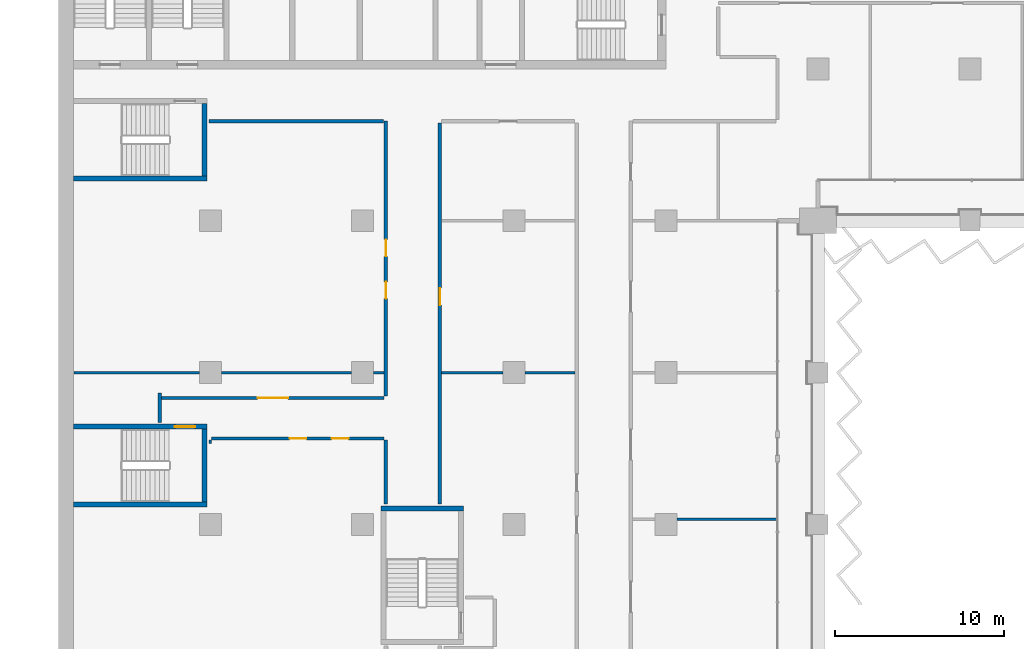
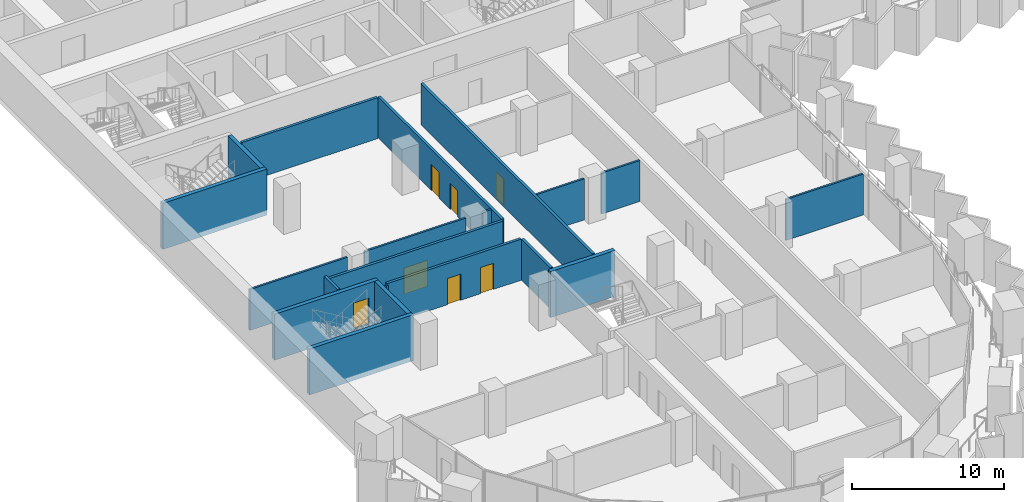
# One storey, part 10 of 22: 20 walls, 7 doors, 7 openings.
"""IFC4 building model written with IfcOpenShell, lengths in metres."""

from ifc_helpers import new_model, si_unit, direction, frame, frame_2d, origin, place, context, subcontext, project, spatial, rectangle, extrude, material, layer, layer_set, type_object, element, fill, save


model = new_model("IFC4")

# Units and contexts
model_context = context("Model", 3, precision=1e-05, world=origin(), true_north=direction((0.0, 1.0)))
body_context = subcontext(model_context, "Body", "Model", "MODEL_VIEW")
ifc_project = project(units=[si_unit("LENGTHUNIT", "METRE"), si_unit("AREAUNIT", "SQUARE_METRE"), si_unit("VOLUMEUNIT", "CUBIC_METRE"), si_unit("PLANEANGLEUNIT", "RADIAN"), si_unit("MASSUNIT", "GRAM", prefix="KILO")], contexts=[model_context])

# Site, building, storey
site_placement = place(None, origin())
site = spatial("IfcSite", under=ifc_project, at=site_placement, CompositionType="ELEMENT")
building_placement = place(site_placement, origin())
building = spatial("IfcBuilding", under=site, at=building_placement, Name="Hunhe Ridgeline Campus", CompositionType="ELEMENT")
storey_placement = place(building_placement, frame((0.0, 0.0, 92.199951171875)))
storey = spatial("IfcBuildingStorey", under=building, at=storey_placement, Name="L22", CompositionType="ELEMENT", Elevation=92.199951171875)

# Wall, openings, doors
ifc_material_1 = material(Name="Gypsum board partition")
ifc_layer_1 = layer(ifc_material_1, 0.199951171875)
ifc_layer_set_1 = layer_set([ifc_layer_1], Name="Corridor partition 200 gypsum board on steel studs")
wall_type_1 = type_object("IfcWallType", Name="Corridor partition 200 gypsum board on steel studs", PredefinedType="PARTITIONING", material=ifc_layer_set_1)
wall_1_placement = place(storey_placement, frame((19.300048828125, 41.10009765625, 0.0), z_axis=(0.0, 0.0, 1.0), x_axis=(-1.0, 0.0, 0.0)))
wall_1 = element("IfcWall", 1, at=wall_1_placement, inside=storey, type_object=wall_type_1, Name="F-L22-wall-021", PredefinedType="PARTITIONING", context=body_context, shape_type="SweptSolid", body=[
    extrude(rectangle(XDim=10.22509765625, YDim=0.199951171875, at=frame_2d((5.112548828125, 0.0))), origin(), (0.0, 0.0, 1.0), 3.300048828125),
])
opening_1_placement = place(wall_1_placement, frame((4.612548828125, 0.0, 0.0)))
opening_1 = element("IfcOpeningElement", 2, at=opening_1_placement, cuts=wall_1, Name="Opening RD1-013", PredefinedType="OPENING", context=body_context, shape_type="SweptSolid", body=[
    extrude(rectangle(XDim=1.0, YDim=2.10009765625, at=frame_2d((0.5, 1.050048828125))), frame((0.0, 0.10009765625, 0.0), z_axis=(0.0, -1.0, 0.0), x_axis=(1.0, 0.0, 0.0)), (0.0, 0.0, 1.0), 0.199951171875),
])
opening_2_placement = place(wall_1_placement, frame((2.112548828125, 0.0, 0.0)))
opening_2 = element("IfcOpeningElement", 3, at=opening_2_placement, cuts=wall_1, Name="Opening RD1-014", PredefinedType="OPENING", context=body_context, shape_type="SweptSolid", body=[
    extrude(rectangle(XDim=1.0, YDim=2.10009765625, at=frame_2d((0.5, 1.050048828125))), frame((0.0, 0.10009765625, 0.0), z_axis=(0.0, -1.0, 0.0), x_axis=(1.0, 0.0, 0.0)), (0.0, 0.0, 1.0), 0.199951171875),
])
ifc_material_2 = material(Name="Timber door leaf", Category="wood")
door_type_1 = type_object("IfcDoorType", Name="Single fire door 1000x2100 timber FD60", OperationType="NOTDEFINED", PredefinedType="DOOR", material=ifc_material_2)
door_1_placement = place(opening_1_placement, frame((1.0, 0.0, 0.0), z_axis=(0.0, 0.0, 1.0), x_axis=(-1.0, 0.0, 0.0)))
door_1 = element("IfcDoor", 4, at=door_1_placement, inside=storey, type_object=door_type_1, Name="F-L22-door-013", OperationType="SINGLE_SWING_RIGHT", OverallHeight=2.10009765625, OverallWidth=1.0, PredefinedType="DOOR", context=body_context, shape_type="SweptSolid", body=[
    extrude(rectangle(XDim=1.0, YDim=2.10009765625, at=frame_2d((0.5, 1.050048828125))), frame((0.0, 0.02490234375, 0.0), z_axis=(0.0, -1.0, 0.0), x_axis=(1.0, 0.0, 0.0)), (0.0, 0.0, 1.0), 0.050048828125),
])
fill(opening_1, door_1)
door_2_placement = place(opening_2_placement, frame((1.0, 0.0, 0.0), z_axis=(0.0, 0.0, 1.0), x_axis=(-1.0, 0.0, 0.0)))
door_2 = element("IfcDoor", 5, at=door_2_placement, inside=storey, type_object=door_type_1, Name="F-L22-door-014", OperationType="SINGLE_SWING_RIGHT", OverallHeight=2.10009765625, OverallWidth=1.0, PredefinedType="DOOR", context=body_context, shape_type="SweptSolid", body=[
    extrude(rectangle(XDim=1.0, YDim=2.10009765625, at=frame_2d((0.5, 1.050048828125))), frame((0.0, 0.02490234375, 0.0), z_axis=(0.0, -1.0, 0.0), x_axis=(1.0, 0.0, 0.0)), (0.0, 0.0, 1.0), 0.050048828125),
])
fill(opening_2, door_2)

# Wall, opening, door
wall_2_placement = place(storey_placement, frame((6.10009765625, 43.5, 0.0), z_axis=(0.0, 0.0, 1.0), x_axis=(1.0, 0.0, 0.0)))
wall_2 = element("IfcWall", 6, at=wall_2_placement, inside=storey, type_object=wall_type_1, Name="F-L22-wall-022", PredefinedType="PARTITIONING", context=body_context, shape_type="SweptSolid", body=[
    extrude(rectangle(XDim=13.199951171875, YDim=0.199951171875, at=frame_2d((6.60009765625, 0.0))), origin(), (0.0, 0.0, 1.0), 3.300048828125),
])
opening_3_placement = place(wall_2_placement, frame((5.699951171875, 0.0, 0.0)))
opening_3 = element("IfcOpeningElement", 7, at=opening_3_placement, cuts=wall_2, Name="Opening RD2-015", PredefinedType="OPENING", context=body_context, shape_type="SweptSolid", body=[
    extrude(rectangle(XDim=1.800048828125, YDim=2.10009765625, at=frame_2d((0.89990234375, 1.050048828125))), frame((0.0, 0.10009765625, 0.0), z_axis=(0.0, -1.0, 0.0), x_axis=(1.0, 0.0, 0.0)), (0.0, 0.0, 1.0), 0.199951171875),
])
door_type_2 = type_object("IfcDoorType", Name="Double fire door 1800x2100 timber FD60", OperationType="DOUBLE_DOOR_SINGLE_SWING", PredefinedType="DOOR", material=ifc_material_2)
door_3_placement = place(opening_3_placement, origin())
door_3 = element("IfcDoor", 8, at=door_3_placement, inside=storey, type_object=door_type_2, Name="F-L22-door-015", OperationType="DOUBLE_DOOR_SINGLE_SWING", OverallHeight=2.10009765625, OverallWidth=1.800048828125, PredefinedType="DOOR", context=body_context, shape_type="SweptSolid", body=[
    extrude(rectangle(XDim=1.800048828125, YDim=2.10009765625, at=frame_2d((0.89990234375, 1.050048828125))), frame((0.0, 0.02490234375, 0.0), z_axis=(0.0, -1.0, 0.0), x_axis=(1.0, 0.0, 0.0)), (0.0, 0.0, 1.0), 0.050048828125),
])
fill(opening_3, door_3)

# Walls
wall_3_placement = place(storey_placement, frame((19.249755859375, 59.89990234375, 0.0), z_axis=(0.0, 0.0, 1.0), x_axis=(-1.0, 0.0, 0.0)))
element("IfcWall", 9, at=wall_3_placement, inside=storey, type_object=wall_type_1, Name="F-L22-wall-035", PredefinedType="PARTITIONING", context=body_context, shape_type="SweptSolid", body=[
    extrude(rectangle(XDim=10.345703125, YDim=0.199951171875, at=frame_2d((5.1728515625, 0.0))), origin(), (0.0, 0.0, 1.0), 3.300048828125),
])
wall_4_placement = place(storey_placement, frame((6.0, 42.053955078125, 0.0), z_axis=(0.0, 0.0, 1.0), x_axis=(0.0, 1.0, 0.0)))
element("IfcWall", 10, at=wall_4_placement, inside=storey, type_object=wall_type_1, Name="F-L22-wall-044", PredefinedType="PARTITIONING", context=body_context, shape_type="SweptSolid", body=[
    extrude(rectangle(XDim=1.74609375, YDim=0.199951171875, at=frame_2d((0.873046875, 0.0))), origin(), (0.0, 0.0, 1.0), 3.300048828125),
])
wall_5_placement = place(storey_placement, frame((19.39990234375, 37.2041015625, 0.0), z_axis=(0.0, 0.0, 1.0), x_axis=(0.0, 1.0, 0.0)))
element("IfcWall", 11, at=wall_5_placement, inside=storey, type_object=wall_type_1, Name="F-L22-wall-047", PredefinedType="PARTITIONING", context=body_context, shape_type="SweptSolid", body=[
    extrude(rectangle(XDim=3.7958984375, YDim=0.199951171875, at=frame_2d((1.89794921875, 0.0))), origin(), (0.0, 0.0, 1.0), 3.300048828125),
])

# Wall, openings, doors
wall_6_placement = place(storey_placement, frame((19.39990234375, 43.6181640625, 0.0), z_axis=(0.0, 0.0, 1.0), x_axis=(0.0, 1.0, 0.0)))
wall_6 = element("IfcWall", 12, at=wall_6_placement, inside=storey, type_object=wall_type_1, Name="F-L22-wall-048", PredefinedType="PARTITIONING", context=body_context, shape_type="SweptSolid", body=[
    extrude(rectangle(XDim=16.28173828125, YDim=0.199951171875, at=frame_2d((8.140869140625, 0.0))), origin(), (0.0, 0.0, 1.0), 3.300048828125),
])
opening_4_placement = place(wall_6_placement, frame((5.76708984375, 0.0, 0.0)))
opening_4 = element("IfcOpeningElement", 13, at=opening_4_placement, cuts=wall_6, Name="Opening RD1-018", PredefinedType="OPENING", context=body_context, shape_type="SweptSolid", body=[
    extrude(rectangle(XDim=1.0, YDim=2.10009765625, at=frame_2d((0.5, 1.050048828125))), frame((0.0, 0.10009765625, 0.0), z_axis=(0.0, -1.0, 0.0), x_axis=(1.0, 0.0, 0.0)), (0.0, 0.0, 1.0), 0.199951171875),
])
opening_5_placement = place(wall_6_placement, frame((8.26708984375, 0.0, 0.0)))
opening_5 = element("IfcOpeningElement", 14, at=opening_5_placement, cuts=wall_6, Name="Opening RD1-019", PredefinedType="OPENING", context=body_context, shape_type="SweptSolid", body=[
    extrude(rectangle(XDim=1.0, YDim=2.10009765625, at=frame_2d((0.5, 1.050048828125))), frame((0.0, 0.10009765625, 0.0), z_axis=(0.0, -1.0, 0.0), x_axis=(1.0, 0.0, 0.0)), (0.0, 0.0, 1.0), 0.199951171875),
])
door_4_placement = place(opening_4_placement, frame((1.0, 0.0, 0.0), z_axis=(0.0, 0.0, 1.0), x_axis=(-1.0, 0.0, 0.0)))
door_4 = element("IfcDoor", 15, at=door_4_placement, inside=storey, type_object=door_type_1, Name="F-L22-door-018", OperationType="SINGLE_SWING_RIGHT", OverallHeight=2.10009765625, OverallWidth=1.0, PredefinedType="DOOR", context=body_context, shape_type="SweptSolid", body=[
    extrude(rectangle(XDim=1.0, YDim=2.10009765625, at=frame_2d((0.5, 1.050048828125))), frame((0.0, 0.02490234375, 0.0), z_axis=(0.0, -1.0, 0.0), x_axis=(1.0, 0.0, 0.0)), (0.0, 0.0, 1.0), 0.050048828125),
])
fill(opening_4, door_4)
door_5_placement = place(opening_5_placement, frame((1.0, 0.0, 0.0), z_axis=(0.0, 0.0, 1.0), x_axis=(-1.0, 0.0, 0.0)))
door_5 = element("IfcDoor", 16, at=door_5_placement, inside=storey, type_object=door_type_1, Name="F-L22-door-019", OperationType="SINGLE_SWING_LEFT", OverallHeight=2.10009765625, OverallWidth=1.0, PredefinedType="DOOR", context=body_context, shape_type="SweptSolid", body=[
    extrude(rectangle(XDim=1.0, YDim=2.10009765625, at=frame_2d((0.5, 1.050048828125))), frame((0.0, 0.02490234375, 0.0), z_axis=(0.0, -1.0, 0.0), x_axis=(1.0, 0.0, 0.0)), (0.0, 0.0, 1.0), 0.050048828125),
])
fill(opening_5, door_5)

# Wall, opening, door
wall_7_placement = place(storey_placement, frame((22.60009765625, 59.800048828125, 0.0), z_axis=(0.0, 0.0, 1.0), x_axis=(0.0, -1.0, 0.0)))
wall_7 = element("IfcWall", 17, at=wall_7_placement, inside=storey, type_object=wall_type_1, Name="F-L22-wall-051", PredefinedType="PARTITIONING", context=body_context, shape_type="SweptSolid", body=[
    extrude(rectangle(XDim=22.595947265625, YDim=0.199951171875, at=frame_2d((11.2978515625, 0.0))), origin(), (0.0, 0.0, 1.0), 3.300048828125),
])
opening_6_placement = place(wall_7_placement, frame((9.793701171875, 0.0, 0.0)))
opening_6 = element("IfcOpeningElement", 18, at=opening_6_placement, cuts=wall_7, Name="Opening RD1-016", PredefinedType="OPENING", context=body_context, shape_type="SweptSolid", body=[
    extrude(rectangle(XDim=1.0, YDim=2.10009765625, at=frame_2d((0.5, 1.050048828125))), frame((0.0, 0.10009765625, 0.0), z_axis=(0.0, -1.0, 0.0), x_axis=(1.0, 0.0, 0.0)), (0.0, 0.0, 1.0), 0.199951171875),
])
door_6_placement = place(opening_6_placement, origin())
door_6 = element("IfcDoor", 19, at=door_6_placement, inside=storey, type_object=door_type_1, Name="F-L22-door-016", OperationType="SINGLE_SWING_LEFT", OverallHeight=2.10009765625, OverallWidth=1.0, PredefinedType="DOOR", context=body_context, shape_type="SweptSolid", body=[
    extrude(rectangle(XDim=1.0, YDim=2.10009765625, at=frame_2d((0.5, 1.050048828125))), frame((0.0, 0.02490234375, 0.0), z_axis=(0.0, -1.0, 0.0), x_axis=(1.0, 0.0, 0.0)), (0.0, 0.0, 1.0), 0.050048828125),
])
fill(opening_6, door_6)

# Walls
ifc_layer_2 = layer(ifc_material_1, 0.14990234375)
ifc_layer_set_2 = layer_set([ifc_layer_2], Name="Room partition 150 gypsum board on steel studs")
wall_type_2 = type_object("IfcWallType", Name="Room partition 150 gypsum board on steel studs", PredefinedType="PARTITIONING", material=ifc_layer_set_2)
wall_8_placement = place(storey_placement, frame((36.64990234375, 36.300048828125, 0.0), z_axis=(0.0, 0.0, 1.0), x_axis=(1.0, 0.0, 0.0)))
element("IfcWall", 20, at=wall_8_placement, inside=storey, type_object=wall_type_2, Name="F-L22-wall-020", PredefinedType="PARTITIONING", context=body_context, shape_type="SweptSolid", body=[
    extrude(rectangle(XDim=5.895263671875, YDim=0.14990234375, at=frame_2d((2.94775390625, 0.0))), origin(), (0.0, 0.0, 1.0), 3.300048828125),
])
wall_9_placement = place(storey_placement, frame((0.919921875, 45.0, 0.0), z_axis=(0.0, 0.0, 1.0), x_axis=(1.0, 0.0, 0.0)))
element("IfcWall", 21, at=wall_9_placement, inside=storey, type_object=wall_type_2, Name="F-L22-wall-023", PredefinedType="PARTITIONING", context=body_context, shape_type="SweptSolid", body=[
    extrude(rectangle(XDim=7.43017578125, YDim=0.14990234375, at=frame_2d((3.715087890625, 0.0))), origin(), (0.0, 0.0, 1.0), 3.300048828125),
])
wall_10_placement = place(storey_placement, frame((9.64990234375, 45.0, 0.0), z_axis=(0.0, 0.0, 1.0), x_axis=(1.0, 0.0, 0.0)))
element("IfcWall", 22, at=wall_10_placement, inside=storey, type_object=wall_type_2, Name="F-L22-wall-024", PredefinedType="PARTITIONING", context=body_context, shape_type="SweptSolid", body=[
    extrude(rectangle(XDim=7.7001953125, YDim=0.14990234375, at=frame_2d((3.85009765625, 0.0))), origin(), (0.0, 0.0, 1.0), 3.300048828125),
])
wall_11_placement = place(storey_placement, frame((18.64990234375, 45.0, 0.0), z_axis=(0.0, 0.0, 1.0), x_axis=(1.0, 0.0, 0.0)))
element("IfcWall", 23, at=wall_11_placement, inside=storey, type_object=wall_type_2, Name="F-L22-wall-025", PredefinedType="PARTITIONING", context=body_context, shape_type="SweptSolid", body=[
    extrude(rectangle(XDim=0.650146484375, YDim=0.14990234375, at=frame_2d((0.3251953125, 0.0))), origin(), (0.0, 0.0, 1.0), 3.300048828125),
])
wall_12_placement = place(storey_placement, frame((22.699951171875, 45.0, 0.0), z_axis=(0.0, 0.0, 1.0), x_axis=(1.0, 0.0, 0.0)))
element("IfcWall", 24, at=wall_12_placement, inside=storey, type_object=wall_type_2, Name="F-L22-wall-026", PredefinedType="PARTITIONING", context=body_context, shape_type="SweptSolid", body=[
    extrude(rectangle(XDim=3.650146484375, YDim=0.14990234375, at=frame_2d((1.8251953125, 0.0))), origin(), (0.0, 0.0, 1.0), 3.300048828125),
])
wall_13_placement = place(storey_placement, frame((27.64990234375, 45.0, 0.0), z_axis=(0.0, 0.0, 1.0), x_axis=(1.0, 0.0, 0.0)))
element("IfcWall", 25, at=wall_13_placement, inside=storey, type_object=wall_type_2, Name="F-L22-wall-027", PredefinedType="PARTITIONING", context=body_context, shape_type="SweptSolid", body=[
    extrude(rectangle(XDim=2.9501953125, YDim=0.14990234375, at=frame_2d((1.47509765625, 0.0))), origin(), (0.0, 0.0, 1.0), 3.300048828125),
])
wall_14_placement = place(storey_placement, frame((9.0, 41.0, 0.0), z_axis=(0.0, 0.0, 1.0), x_axis=(0.0, -1.0, 0.0)))
element("IfcWall", 26, at=wall_14_placement, inside=storey, type_object=wall_type_2, Name="F-L22-wall-045", PredefinedType="PARTITIONING", context=body_context, shape_type="SweptSolid", body=[
    extrude(rectangle(XDim=0.199951171875, YDim=0.14990234375, at=frame_2d((0.10009765625, 0.0))), origin(), (0.0, 0.0, 1.0), 3.300048828125),
])
ifc_material_3 = material(Name="Concrete C80", Category="concrete")
ifc_layer_3 = layer(ifc_material_3, 0.300048828125)
ifc_layer_set_3 = layer_set([ifc_layer_3], Name="Stair wall 300 reinforced concrete C80")
wall_type_3 = type_object("IfcWallType", Name="Stair wall 300 reinforced concrete C80", PredefinedType="SOLIDWALL", material=ifc_layer_set_3)
wall_15_placement = place(storey_placement, frame((19.10009765625, 36.949951171875, -0.39990234375), z_axis=(0.0, 0.0, 1.0), x_axis=(1.0, 0.0, 0.0)))
element("IfcWall", 27, at=wall_15_placement, inside=storey, type_object=wall_type_3, Name="L22 core wall 2", PredefinedType="SOLIDWALL", context=body_context, shape_type="SweptSolid", body=[
    extrude(rectangle(XDim=4.89990234375, YDim=0.300048828125, at=frame_2d((2.449951171875, 0.0))), origin(), (0.0, 0.0, 1.0), 3.699951171875),
])
wall_16_placement = place(storey_placement, frame((0.89990234375, 37.199951171875, -0.39990234375), z_axis=(0.0, 0.0, 1.0), x_axis=(1.0, 0.0, 0.0)))
element("IfcWall", 28, at=wall_16_placement, inside=storey, type_object=wall_type_3, Name="L22 core wall 3", PredefinedType="SOLIDWALL", context=body_context, shape_type="SweptSolid", body=[
    extrude(rectangle(XDim=7.900146484375, YDim=0.300048828125, at=frame_2d((3.9501953125, 0.0))), origin(), (0.0, 0.0, 1.0), 3.699951171875),
])

# Wall, opening, door
wall_17_placement = place(storey_placement, frame((0.89990234375, 41.800048828125, -0.39990234375), z_axis=(0.0, 0.0, 1.0), x_axis=(1.0, 0.0, 0.0)))
wall_17 = element("IfcWall", 29, at=wall_17_placement, inside=storey, type_object=wall_type_3, Name="L22 core wall 4", PredefinedType="SOLIDWALL", context=body_context, shape_type="SweptSolid", body=[
    extrude(rectangle(XDim=7.900146484375, YDim=0.300048828125, at=frame_2d((3.9501953125, 0.0))), origin(), (0.0, 0.0, 1.0), 3.699951171875),
])
opening_7_placement = place(wall_17_placement, frame((6.0, 0.0, 0.39990234375)))
opening_7 = element("IfcOpeningElement", 30, at=opening_7_placement, cuts=wall_17, Name="Opening CD21", PredefinedType="OPENING", context=body_context, shape_type="SweptSolid", body=[
    extrude(rectangle(XDim=1.199951171875, YDim=2.10009765625, at=frame_2d((0.60009765625, 1.050048828125))), frame((0.0, 0.14990234375, 0.0), z_axis=(0.0, -1.0, 0.0), x_axis=(1.0, 0.0, 0.0)), (0.0, 0.0, 1.0), 0.300048828125),
])
ifc_material_4 = material(Name="Hollow metal fire door leaf")
door_type_3 = type_object("IfcDoorType", Name="Stair door 1200x2100 FD60", OperationType="SINGLE_SWING_LEFT", PredefinedType="DOOR", material=ifc_material_4)
door_7_placement = place(opening_7_placement, origin())
door_7 = element("IfcDoor", 31, at=door_7_placement, inside=storey, type_object=door_type_3, Name="L22 door W1", OperationType="SINGLE_SWING_RIGHT", OverallHeight=2.10009765625, OverallWidth=1.199951171875, PredefinedType="DOOR", context=body_context, shape_type="SweptSolid", body=[
    extrude(rectangle(XDim=1.199951171875, YDim=2.10009765625, at=frame_2d((0.60009765625, 1.050048828125))), frame((0.0, 0.02490234375, 0.0), z_axis=(0.0, -1.0, 0.0), x_axis=(1.0, 0.0, 0.0)), (0.0, 0.0, 1.0), 0.050048828125),
])
fill(opening_7, door_7)

# Walls
wall_18_placement = place(storey_placement, frame((0.89990234375, 56.5, -0.39990234375), z_axis=(0.0, 0.0, 1.0), x_axis=(1.0, 0.0, 0.0)))
element("IfcWall", 32, at=wall_18_placement, inside=storey, type_object=wall_type_3, Name="L22 core wall 5", PredefinedType="SOLIDWALL", context=body_context, shape_type="SweptSolid", body=[
    extrude(rectangle(XDim=7.900146484375, YDim=0.300048828125, at=frame_2d((3.9501953125, 0.0))), origin(), (0.0, 0.0, 1.0), 3.699951171875),
])
wall_19_placement = place(storey_placement, frame((8.64990234375, 37.35009765625, -0.39990234375), z_axis=(0.0, 0.0, 1.0), x_axis=(0.0, 1.0, 0.0)))
element("IfcWall", 33, at=wall_19_placement, inside=storey, type_object=wall_type_3, Name="L22 core wall 38", PredefinedType="SOLIDWALL", context=body_context, shape_type="SweptSolid", body=[
    extrude(rectangle(XDim=4.2998046875, YDim=0.300048828125, at=frame_2d((2.14990234375, 0.0))), origin(), (0.0, 0.0, 1.0), 3.699951171875),
])
wall_20_placement = place(storey_placement, frame((8.64990234375, 56.64990234375, -0.39990234375), z_axis=(0.0, 0.0, 1.0), x_axis=(0.0, 1.0, 0.0)))
element("IfcWall", 34, at=wall_20_placement, inside=storey, type_object=wall_type_3, Name="L22 core wall 39", PredefinedType="SOLIDWALL", context=body_context, shape_type="SweptSolid", body=[
    extrude(rectangle(XDim=4.300048828125, YDim=0.300048828125, at=frame_2d((2.14990234375, 0.0))), origin(), (0.0, 0.0, 1.0), 3.699951171875),
])

save(model, "model.ifc")
